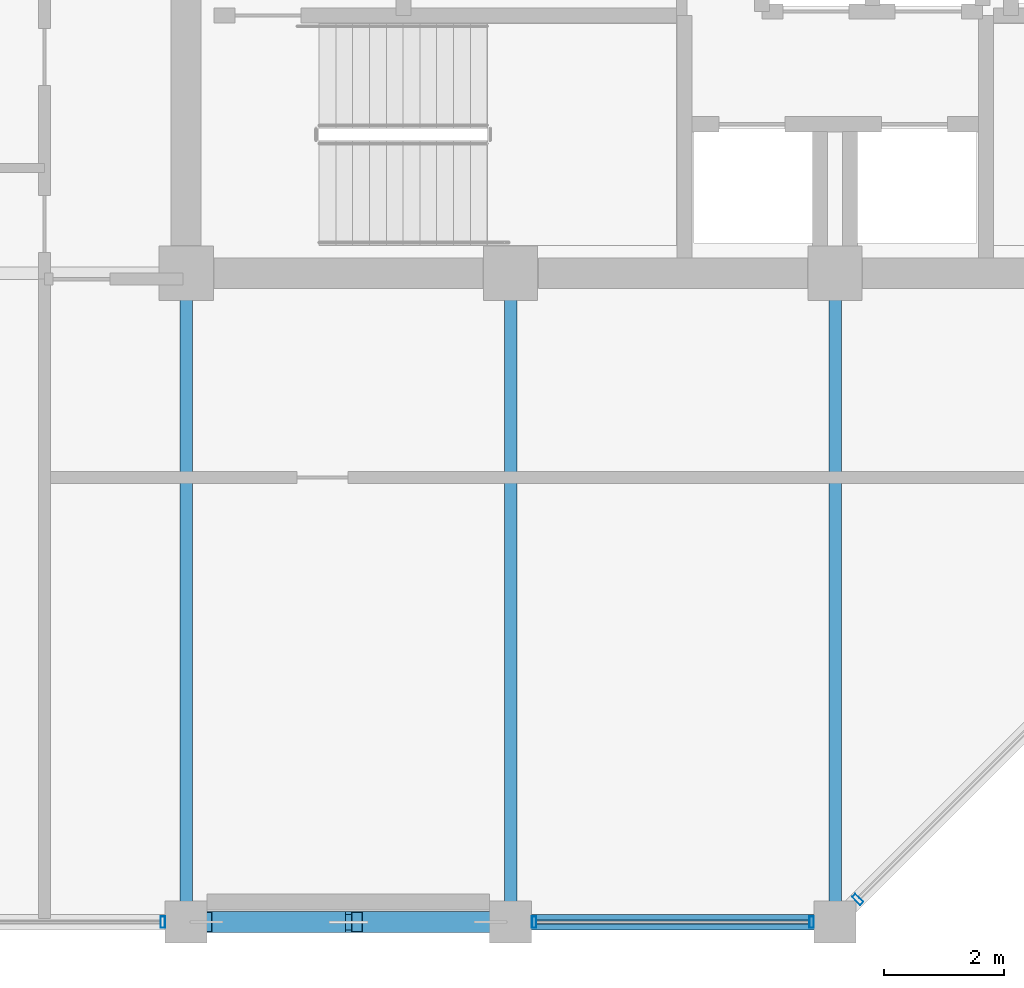
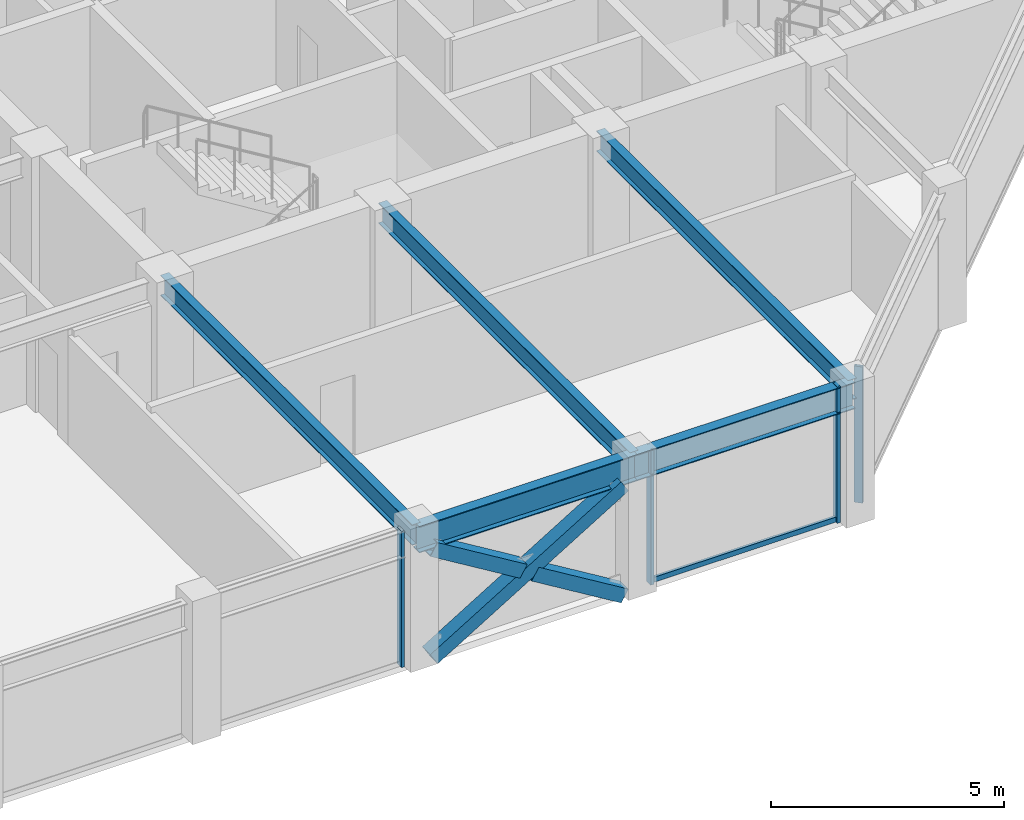
# One storey, part 5 of 29: 8 members, 5 beams, 3 elements without a shape of their own.
"""IFC4 building model written with IfcOpenShell, lengths in metres."""

from ifc_helpers import new_model, si_unit, direction, frame, origin, origin_2d, place, context, subcontext, project, spatial, hollow_rectangle, i_section, extrude, material, layer, layer_set, material_profile, profile_set, type_object, element, aggregate, save


model = new_model("IFC4")

# Units and contexts
model_context = context("Model", 3, precision=1e-05, world=origin(), true_north=direction((0.0, 1.0)))
body_context = subcontext(model_context, "Body", "Model", "MODEL_VIEW")
ifc_project = project(units=[si_unit("LENGTHUNIT", "METRE"), si_unit("AREAUNIT", "SQUARE_METRE"), si_unit("VOLUMEUNIT", "CUBIC_METRE"), si_unit("PLANEANGLEUNIT", "RADIAN"), si_unit("MASSUNIT", "GRAM", prefix="KILO")], contexts=[model_context])

# Site, building, storey
site_placement = place(None, origin())
site = spatial("IfcSite", under=ifc_project, at=site_placement, CompositionType="ELEMENT")
building_placement = place(site_placement, origin())
building = spatial("IfcBuilding", under=site, at=building_placement, Name="Surkhivell Harbour Commons", CompositionType="ELEMENT")
storey_placement = place(building_placement, frame((0.0, 0.0, 326.25)))
storey = spatial("IfcBuildingStorey", under=building, at=storey_placement, Name="L85", CompositionType="ELEMENT", Elevation=326.25)

# Beams
ifc_material_1 = material(Name="Steel S355", Category="steel")
ifc_material_profile_1 = material_profile(ifc_material_1, i_section(OverallWidth=0.2099609375, OverallDepth=0.537109375, WebThickness=0.0107421875, FlangeThickness=0.017333984375, at=origin_2d()), Name="UB533x210x101")
ifc_profile_set_1 = profile_set([ifc_material_profile_1], Name="Steel S355")
beam_type_1 = type_object("IfcBeamType", Name="BM-GRD-533B", PredefinedType="BEAM", material=ifc_profile_set_1)
for number, where, z_axis, x_axis, name in (
    (1, (-10.800048828125, -21.60009765625, 3.301513671875), (0.0, 1.0, 0.0), (-1.0, 0.0, 0.0), "L85 Floor Girder (-10.8,-21.6)"),
    (2, (-5.39990234375, -21.60009765625, 3.301513671875), (0.0, 1.0, 0.0), (-1.0, 0.0, 0.0), "L85 Floor Girder (-5.4,-21.6)"),
    (3, (0.0, -21.60009765625, 3.301513671875), (0.0, 1.0, 0.0), (-1.0, 0.0, 0.0), "L85 Floor Girder (0.0,-21.6)"),
):
    element("IfcBeam", number, at=place(storey_placement, frame(where, z_axis=z_axis, x_axis=x_axis)), inside=storey, type_object=beam_type_1, Name=name, PredefinedType="BEAM", context=body_context, shape_type="SweptSolid", body=[
        extrude(i_section(OverallWidth=0.2099609375, OverallDepth=0.537109375, WebThickness=0.0107421875, FlangeThickness=0.017333984375, at=origin_2d()), origin(), (0.0, 0.0, 1.0), 10.800048828125),
    ])
ifc_material_profile_2 = material_profile(ifc_material_1, i_section(OverallWidth=0.256103515625, OverallDepth=0.693115234375, WebThickness=0.014404296875, FlangeThickness=0.023681640625, at=origin_2d()), Name="UB686x254x170")
ifc_profile_set_2 = profile_set([ifc_material_profile_2], Name="Steel S355")
beam_type_2 = type_object("IfcBeamType", Name="BM-SPN-686", PredefinedType="SPANDREL", material=ifc_profile_set_2)
beam_1_placement = place(storey_placement, frame((-10.800048828125, -21.60009765625, 3.223388671875), z_axis=(1.0, 0.0, 0.0), x_axis=(0.0, 1.0, 0.0)))
element("IfcBeam", 4, at=beam_1_placement, inside=storey, type_object=beam_type_2, Name="L85 Tube Spandrel (-10.8,-21.6)", PredefinedType="SPANDREL", context=body_context, shape_type="SweptSolid", body=[
    extrude(i_section(OverallWidth=0.256103515625, OverallDepth=0.693115234375, WebThickness=0.014404296875, FlangeThickness=0.023681640625, at=origin_2d()), origin(), (0.0, 0.0, 1.0), 5.400146484375),
])
beam_2_placement = place(storey_placement, frame((-5.39990234375, -21.60009765625, 3.223388671875), z_axis=(1.0, 0.0, 0.0), x_axis=(0.0, 1.0, 0.0)))
element("IfcBeam", 5, at=beam_2_placement, inside=storey, type_object=beam_type_2, Name="L85 Tube Spandrel (-5.4,-21.6)", PredefinedType="SPANDREL", context=body_context, shape_type="SweptSolid", body=[
    extrude(i_section(OverallWidth=0.256103515625, OverallDepth=0.693115234375, WebThickness=0.014404296875, FlangeThickness=0.023681640625, at=origin_2d()), origin(), (0.0, 0.0, 1.0), 5.39990234375),
])

# Curtain wall, member
ifc_material_2 = material(Name="Anodised pale-metal aluminium and insulated glazing", Category="aluminium")
ifc_layer = layer(ifc_material_2, 0.175048828125)
ifc_layer_set = layer_set([ifc_layer], Name="Anodised pale-metal aluminium and insulated glazing")
curtain_wall_type = type_object("IfcCurtainWallType", Name="CW-SYS-Z4", PredefinedType="NOTDEFINED", material=ifc_layer_set)
curtain_wall_1_placement = place(storey_placement, origin())
curtain_wall_1 = element("IfcCurtainWall", 6, at=curtain_wall_1_placement, inside=storey, type_object=curtain_wall_type, Name="L85 Curtain Wall CW-L85-E00S1", PredefinedType="NOTDEFINED")
ifc_material_3 = material(Name="Anodised pale-metal aluminium alloy 6063-T6", Category="aluminium")
ifc_material_profile_3 = material_profile(ifc_material_3, hollow_rectangle(XDim=0.074951171875, YDim=0.18994140625, WallThickness=0.00390625, at=origin_2d()), Name="ALU-MULL-75x190")
ifc_profile_set_3 = profile_set([ifc_material_profile_3], Name="Anodised pale-metal aluminium alloy 6063-T6")
member_type_1 = type_object("IfcMemberType", Name="CWM-190", PredefinedType="MULLION", material=ifc_profile_set_3)
member_1_placement = place(storey_placement, frame((-11.189453125, -21.60009765625, 0.0), z_axis=(0.0, 0.0, 1.0), x_axis=(1.0, 0.0, 0.0)))
member_1 = element("IfcMember", 7, at=member_1_placement, type_object=member_type_1, Name="CW-Z4 mullion 3", PredefinedType="MULLION", context=body_context, shape_type="SweptSolid", body=[
    extrude(hollow_rectangle(XDim=0.074951171875, YDim=0.18994140625, WallThickness=0.00390625, at=origin_2d()), origin(), (0.0, 0.0, 1.0), 3.570068359375),
])
aggregate(curtain_wall_1, [member_1])

# Curtain wall, members
curtain_wall_2_placement = place(storey_placement, origin())
curtain_wall_2 = element("IfcCurtainWall", 8, at=curtain_wall_2_placement, inside=storey, type_object=curtain_wall_type, Name="L85 Curtain Wall CW-L85-E00S2", PredefinedType="NOTDEFINED")
member_2_placement = place(storey_placement, frame((-5.010498046875, -21.60009765625, 0.0), z_axis=(0.0, 0.0, 1.0), x_axis=(1.0, 0.0, 0.0)))
member_2 = element("IfcMember", 9, at=member_2_placement, type_object=member_type_1, Name="CW-Z4 mullion 1", PredefinedType="MULLION", context=body_context, shape_type="SweptSolid", body=[
    extrude(hollow_rectangle(XDim=0.074951171875, YDim=0.18994140625, WallThickness=0.00390625, at=origin_2d()), origin(), (0.0, 0.0, 1.0), 3.570068359375),
])
member_3_placement = place(storey_placement, frame((-0.389404296875, -21.60009765625, 0.0), z_axis=(0.0, 0.0, 1.0), x_axis=(1.0, 0.0, 0.0)))
member_3 = element("IfcMember", 10, at=member_3_placement, type_object=member_type_1, Name="CW-Z4 mullion 2", PredefinedType="MULLION", context=body_context, shape_type="SweptSolid", body=[
    extrude(hollow_rectangle(XDim=0.074951171875, YDim=0.18994140625, WallThickness=0.00390625, at=origin_2d()), origin(), (0.0, 0.0, 1.0), 3.570068359375),
])

# Curtain wall, member
curtain_wall_3_placement = place(storey_placement, origin())
curtain_wall_3 = element("IfcCurtainWall", 11, at=curtain_wall_3_placement, inside=storey, type_object=curtain_wall_type, Name="L85 Curtain Wall CW-L85-E01", PredefinedType="NOTDEFINED")
member_4_placement = place(storey_placement, frame((0.378173828125, -21.221923828125, 0.0), z_axis=(0.0, 0.0, 1.0), x_axis=(0.707106781187, 0.707106781187, 0.0)))
member_4 = element("IfcMember", 12, at=member_4_placement, type_object=member_type_1, Name="CW-Z4 mullion 1", PredefinedType="MULLION", context=body_context, shape_type="SweptSolid", body=[
    extrude(hollow_rectangle(XDim=0.074951171875, YDim=0.18994140625, WallThickness=0.00390625, at=origin_2d()), origin(), (0.0, 0.0, 1.0), 3.570068359375),
])
aggregate(curtain_wall_3, [member_4])

# Member
ifc_material_4 = material(Name="Champagne anodised aluminium alloy 6063-T6", Category="aluminium")
ifc_material_profile_4 = material_profile(ifc_material_4, hollow_rectangle(XDim=0.070068359375, YDim=0.1298828125, WallThickness=0.00341796875, at=origin_2d()), Name="ALU-TRAN-70x130")
ifc_profile_set_4 = profile_set([ifc_material_profile_4], Name="Champagne anodised aluminium alloy 6063-T6")
member_type_2 = type_object("IfcMemberType", Name="CWT-130", PredefinedType="USERDEFINED", material=ifc_profile_set_4)
member_5_placement = place(storey_placement, frame((-4.972900390625, -21.60009765625, 0.06494140625), z_axis=(1.0, 0.0, 0.0), x_axis=(0.0, 1.0, 0.0)))
member_5 = element("IfcMember", 13, at=member_5_placement, type_object=member_type_2, Name="CW-Z4 transom 1.1", ObjectType="TRANSOM", PredefinedType="USERDEFINED", context=body_context, shape_type="SweptSolid", body=[
    extrude(hollow_rectangle(XDim=0.070068359375, YDim=0.1298828125, WallThickness=0.00341796875, at=origin_2d()), origin(), (0.0, 0.0, 1.0), 4.5458984375),
])

aggregate(curtain_wall_2, [member_2, member_3, member_5])

# Members
ifc_material_profile_5 = material_profile(ifc_material_1, hollow_rectangle(XDim=0.35009765625, YDim=0.35009765625, WallThickness=0.01611328125, at=origin_2d()), Name="SHS350x350x16")
ifc_profile_set_5 = profile_set([ifc_material_profile_5], Name="Steel S355")
member_type_3 = type_object("IfcMemberType", Name="MEM-BRC-SHS350", PredefinedType="BRACE", material=ifc_profile_set_5)
member_6_placement = place(storey_placement, frame((-10.465087890625, -21.60009765625, 0.008056640625), z_axis=(0.854685454322, 0.0, 0.519146197299), x_axis=(0.0, 1.0, 0.0)))
element("IfcMember", 14, at=member_6_placement, inside=storey, type_object=member_type_3, Name="L85 Perimeter Mega-Brace MB- 07", PredefinedType="BRACE", context=body_context, shape_type="SweptSolid", body=[
    extrude(hollow_rectangle(XDim=0.35009765625, YDim=0.35009765625, WallThickness=0.01611328125, at=origin_2d()), origin(), (0.0, 0.0, 1.0), 5.5341796875),
])
member_7_placement = place(storey_placement, frame((-5.735107421875, -21.60009765625, 0.008056640625), z_axis=(-0.854653538862, 0.0, 0.519198737007), x_axis=(0.0, -1.0, 0.0)))
element("IfcMember", 15, at=member_7_placement, inside=storey, type_object=member_type_3, Name="L85 Perimeter Mega-Brace MB- 08", PredefinedType="BRACE", context=body_context, shape_type="SweptSolid", body=[
    extrude(hollow_rectangle(XDim=0.35009765625, YDim=0.35009765625, WallThickness=0.01611328125, at=origin_2d()), origin(), (0.0, 0.0, 1.0), 2.598876953125),
])
member_8_placement = place(storey_placement, frame((-8.24365234375, -21.60009765625, 1.53173828125), z_axis=(-0.854678858595, 0.0, 0.51915705588), x_axis=(0.0, -1.0, 0.0)))
element("IfcMember", 16, at=member_8_placement, inside=storey, type_object=member_type_3, Name="L85 Perimeter Mega-Brace MB- 09", PredefinedType="BRACE", context=body_context, shape_type="SweptSolid", body=[
    extrude(hollow_rectangle(XDim=0.35009765625, YDim=0.35009765625, WallThickness=0.01611328125, at=origin_2d()), origin(), (0.0, 0.0, 1.0), 2.59912109375),
])

save(model, "model.ifc")
